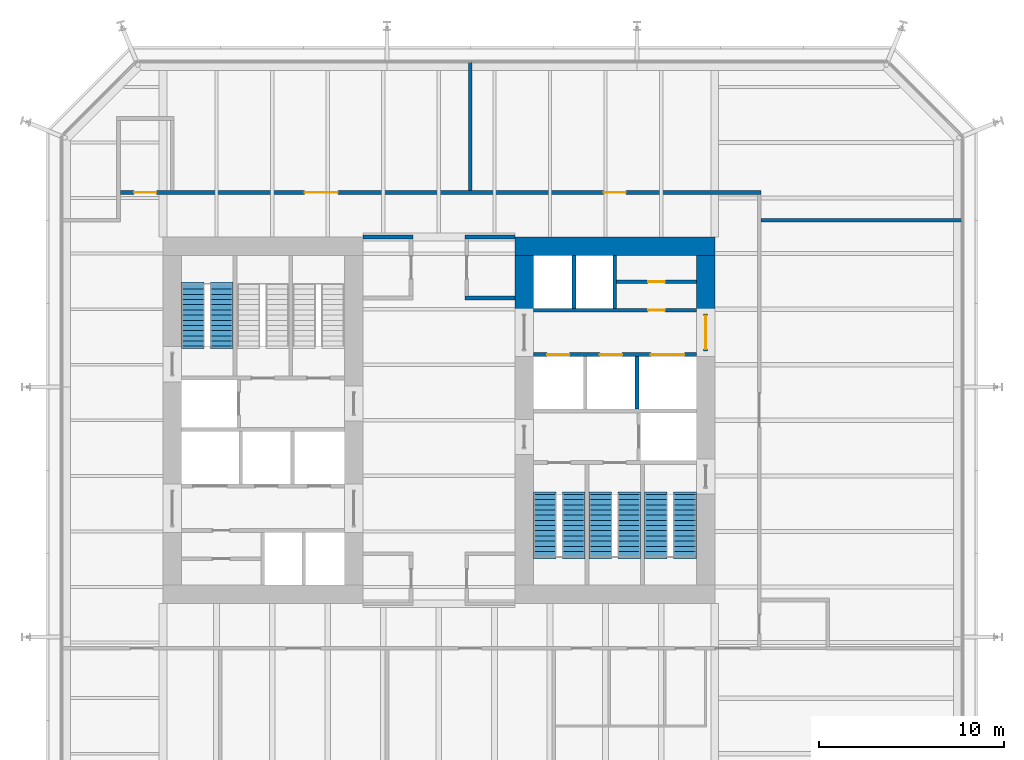
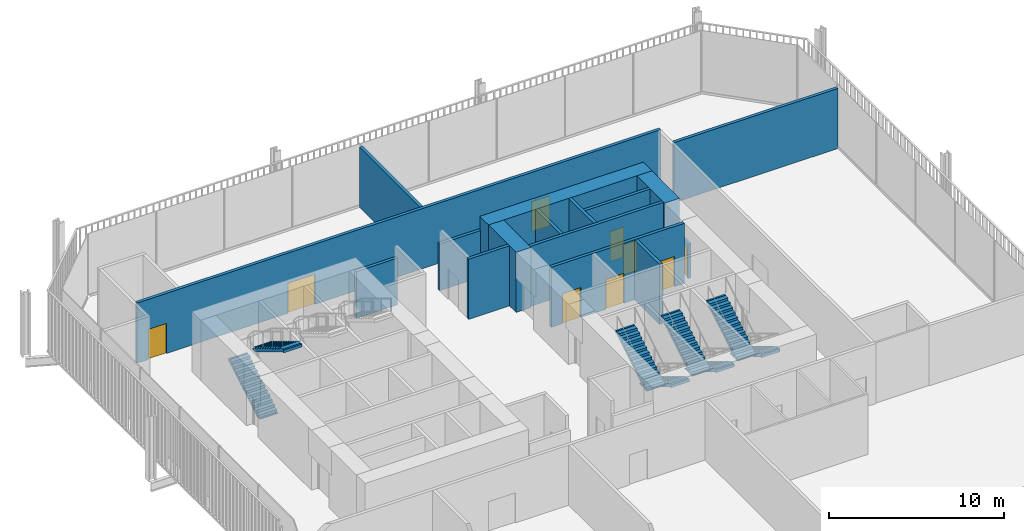
# One storey, part 18 of 20: 16 walls, 9 doors, 8 stair flights, 9 openings, 4 elements without a shape of their own.
"""IFC4 building model written with IfcOpenShell, lengths in metres."""

from ifc_helpers import new_model, si_unit, direction, frame, frame_2d, origin, place, context, subcontext, project, spatial, polyline, rectangle, outline, extrude, material, layer, layer_set, type_object, element, fill, aggregate, save


model = new_model("IFC4")

# Units and contexts
model_context = context("Model", 3, precision=1e-05, world=origin(), true_north=direction((0.0, 1.0)))
body_context = subcontext(model_context, "Body", "Model", "MODEL_VIEW")
ifc_project = project(units=[si_unit("LENGTHUNIT", "METRE"), si_unit("AREAUNIT", "SQUARE_METRE"), si_unit("VOLUMEUNIT", "CUBIC_METRE"), si_unit("PLANEANGLEUNIT", "RADIAN"), si_unit("MASSUNIT", "GRAM", prefix="KILO")], contexts=[model_context])

# Site, building, storey
site_placement = place(None, origin())
site = spatial("IfcSite", under=ifc_project, at=site_placement, CompositionType="ELEMENT")
building_placement = place(site_placement, origin())
building = spatial("IfcBuilding", under=site, at=building_placement, Name="Millrace Tower", CompositionType="ELEMENT")
storey_placement = place(building_placement, frame((0.0, 0.0, 99.60009765625)))
storey = spatial("IfcBuildingStorey", under=building, at=storey_placement, Name="L22", CompositionType="ELEMENT", Elevation=99.60009765625)

# Walls
ifc_material_1 = material(Name="Concrete C80", Category="concrete")
ifc_layer_1 = layer(ifc_material_1, 1.0)
ifc_layer_set_1 = layer_set([ifc_layer_1], Name="Concrete C80")
wall_type_1 = type_object("IfcWallType", Name="Core wall 1000 Concrete C80", PredefinedType="SHEAR", material=ifc_layer_set_1)
wall_1_placement = place(storey_placement, frame((14.89990234375, 9.39990234375, 0.0), z_axis=(0.0, 0.0, 1.0), x_axis=(-1.0, 0.0, 0.0)))
element("IfcWall", 1, at=wall_1_placement, inside=storey, type_object=wall_type_1, Name="Core wall E L22", PredefinedType="SHEAR", context=body_context, shape_type="SweptSolid", body=[
    extrude(rectangle(XDim=10.7998046875, YDim=1.0, at=frame_2d((5.39990234375, 0.0))), origin(), (0.0, 0.0, 1.0), 4.199951171875),
])
for number, where, z_axis, x_axis, name in (
    (2, (14.39990234375, 8.89990234375, 0.0), (0.0, 0.0, 1.0), (0.0, -1.0, 0.0), "Core wall E L22"),
    (3, (4.60009765625, 8.89990234375, 0.0), (0.0, 0.0, 1.0), (0.0, -1.0, 0.0), "Core wall E L22"),
):
    element("IfcWall", number, at=place(storey_placement, frame(where, z_axis=z_axis, x_axis=x_axis)), inside=storey, type_object=wall_type_1, Name=name, PredefinedType="SHEAR", context=body_context, shape_type="SweptSolid", body=[
        extrude(rectangle(XDim=3.14990234375, YDim=1.0, at=frame_2d((1.574951171875, 0.0))), origin(), (0.0, 0.0, 1.0), 4.199951171875),
    ])
ifc_material_2 = material(Name="Masonry partition, fire-rated", Category="masonry")
ifc_layer_2 = layer(ifc_material_2, 0.199951171875)
ifc_layer_set_2 = layer_set([ifc_layer_2], Name="Masonry partition, fire-rated")
wall_type_2 = type_object("IfcWallType", Name="Corridor wall 200", PredefinedType="PARTITIONING", material=ifc_layer_set_2)
wall_2_placement = place(storey_placement, frame((1.39990234375, 6.60009765625, 0.0), z_axis=(0.0, 0.0, 1.0), x_axis=(1.0, 0.0, 0.0)))
element("IfcWall", 4, at=wall_2_placement, inside=storey, type_object=wall_type_2, Name="Corridor wall L22", PredefinedType="PARTITIONING", context=body_context, shape_type="SweptSolid", body=[
    extrude(rectangle(XDim=2.7001953125, YDim=0.199951171875, at=frame_2d((1.35009765625, 0.0))), origin(), (0.0, 0.0, 1.0), 4.199951171875),
])
for number, where, z_axis, x_axis, name in (
    (5, (-4.10009765625, 9.89990234375, 0.0), (0.0, 0.0, 1.0), (1.0, 0.0, 0.0), "Corridor wall L22"),
    (6, (1.39990234375, 9.89990234375, 0.0), (0.0, 0.0, 1.0), (1.0, 0.0, 0.0), "Corridor wall L22"),
):
    element("IfcWall", number, at=place(storey_placement, frame(where, z_axis=z_axis, x_axis=x_axis)), inside=storey, type_object=wall_type_2, Name=name, PredefinedType="PARTITIONING", context=body_context, shape_type="SweptSolid", body=[
        extrude(rectangle(XDim=2.7001953125, YDim=0.199951171875, at=frame_2d((1.35009765625, 0.0))), origin(), (0.0, 0.0, 1.0), 3.2626953125),
    ])
wall_3_placement = place(storey_placement, frame((17.39990234375, 10.800048828125, 0.0), z_axis=(0.0, 0.0, 1.0), x_axis=(1.0, 0.0, 0.0)))
element("IfcWall", 7, at=wall_3_placement, inside=storey, type_object=wall_type_2, Name="Corridor wall L22", PredefinedType="PARTITIONING", context=body_context, shape_type="SweptSolid", body=[
    extrude(rectangle(XDim=10.830078125, YDim=0.199951171875, at=frame_2d((5.4150390625, 0.0))), origin(), (0.0, 0.0, 1.0), 4.199951171875),
])

# Wall, openings, doors
wall_4_placement = place(storey_placement, frame((-17.199951171875, 12.300048828125, 0.0), z_axis=(0.0, 0.0, 1.0), x_axis=(1.0, 0.0, 0.0)))
wall_4 = element("IfcWall", 8, at=wall_4_placement, inside=storey, type_object=wall_type_2, Name="Corridor wall L22", PredefinedType="PARTITIONING", context=body_context, shape_type="SweptSolid", body=[
    extrude(rectangle(XDim=34.599853515625, YDim=0.199951171875, at=frame_2d((17.2998046875, 0.0))), origin(), (0.0, 0.0, 1.0), 4.199951171875),
])
opening_1_placement = place(wall_4_placement, frame((9.949951171875, 0.0, 0.0)))
opening_1 = element("IfcOpeningElement", 9, at=opening_1_placement, cuts=wall_4, Name="Opening 22-P012", PredefinedType="OPENING", context=body_context, shape_type="SweptSolid", body=[
    extrude(rectangle(XDim=1.800048828125, YDim=2.10009765625, at=frame_2d((0.89990234375, 1.050048828125))), frame((0.0, 0.10986328125, 0.0), z_axis=(0.0, -1.0, 0.0), x_axis=(1.0, 0.0, 0.0)), (0.0, 0.0, 1.0), 0.219970703125),
])
opening_2_placement = place(wall_4_placement, frame((0.75, 0.0, 0.0)))
opening_2 = element("IfcOpeningElement", 10, at=opening_2_placement, cuts=wall_4, Name="Opening 22-P013", PredefinedType="OPENING", context=body_context, shape_type="SweptSolid", body=[
    extrude(rectangle(XDim=1.199951171875, YDim=2.10009765625, at=frame_2d((0.60009765625, 1.050048828125))), frame((0.0, 0.10986328125, 0.0), z_axis=(0.0, -1.0, 0.0), x_axis=(1.0, 0.0, 0.0)), (0.0, 0.0, 1.0), 0.219970703125),
])
opening_3_placement = place(wall_4_placement, frame((26.10009765625, 0.0, 0.0)))
opening_3 = element("IfcOpeningElement", 11, at=opening_3_placement, cuts=wall_4, Name="Opening 22-P014", PredefinedType="OPENING", context=body_context, shape_type="SweptSolid", body=[
    extrude(rectangle(XDim=1.199951171875, YDim=2.10009765625, at=frame_2d((0.60009765625, 1.050048828125))), frame((0.0, 0.10986328125, 0.0), z_axis=(0.0, -1.0, 0.0), x_axis=(1.0, 0.0, 0.0)), (0.0, 0.0, 1.0), 0.219970703125),
])
ifc_material_3 = material(Name="Steel door set, fire-rated", Category="steel")
door_type_1 = type_object("IfcDoorType", Name="Corridor door 1200 x 2100", OperationType="SINGLE_SWING_LEFT", PredefinedType="DOOR", material=ifc_material_3)
door_1_placement = place(opening_2_placement, origin())
door_1 = element("IfcDoor", 12, at=door_1_placement, inside=storey, type_object=door_type_1, Name="Door 22-P013", OperationType="SINGLE_SWING_LEFT", OverallHeight=2.10009765625, OverallWidth=1.199951171875, PredefinedType="DOOR", context=body_context, shape_type="SweptSolid", body=[
    extrude(rectangle(XDim=1.199951171875, YDim=2.10009765625, at=frame_2d((0.60009765625, 1.050048828125))), frame((0.0, 0.02490234375, 0.0), z_axis=(0.0, -1.0, 0.0), x_axis=(1.0, 0.0, 0.0)), (0.0, 0.0, 1.0), 0.050048828125),
])
fill(opening_2, door_1)
door_2_placement = place(opening_3_placement, frame((1.199951171875, 0.0, 0.0), z_axis=(0.0, 0.0, 1.0), x_axis=(-1.0, 0.0, 0.0)))
door_2 = element("IfcDoor", 13, at=door_2_placement, inside=storey, type_object=door_type_1, Name="Door 22-P014", OperationType="SINGLE_SWING_LEFT", OverallHeight=2.10009765625, OverallWidth=1.199951171875, PredefinedType="DOOR", context=body_context, shape_type="SweptSolid", body=[
    extrude(rectangle(XDim=1.199951171875, YDim=2.10009765625, at=frame_2d((0.60009765625, 1.050048828125))), frame((0.0, 0.02490234375, 0.0), z_axis=(0.0, -1.0, 0.0), x_axis=(1.0, 0.0, 0.0)), (0.0, 0.0, 1.0), 0.050048828125),
])
fill(opening_3, door_2)
ifc_material_4 = material(Name="Steel door set, fire-rated", Category="steel")
door_type_2 = type_object("IfcDoorType", Name="Data hall door 1800 x 2100", OperationType="DOUBLE_DOOR_SINGLE_SWING", PredefinedType="DOOR", material=ifc_material_4)
door_3_placement = place(opening_1_placement, origin())
door_3 = element("IfcDoor", 14, at=door_3_placement, inside=storey, type_object=door_type_2, Name="Door 22-P012", OperationType="DOUBLE_DOOR_SINGLE_SWING", OverallHeight=2.10009765625, OverallWidth=1.800048828125, PredefinedType="DOOR", context=body_context, shape_type="SweptSolid", body=[
    extrude(rectangle(XDim=1.800048828125, YDim=2.10009765625, at=frame_2d((0.89990234375, 1.050048828125))), frame((0.0, 0.02490234375, 0.0), z_axis=(0.0, -1.0, 0.0), x_axis=(1.0, 0.0, 0.0)), (0.0, 0.0, 1.0), 0.050048828125),
])
fill(opening_1, door_3)

# Wall
wall_5_placement = place(storey_placement, frame((1.699951171875, 12.39990234375, 0.0), z_axis=(0.0, 0.0, 1.0), x_axis=(0.0, 1.0, 0.0)))
element("IfcWall", 15, at=wall_5_placement, inside=storey, type_object=wall_type_2, Name="Corridor wall L22", PredefinedType="PARTITIONING", context=body_context, shape_type="SweptSolid", body=[
    extrude(rectangle(XDim=6.93017578125, YDim=0.199951171875, at=frame_2d((3.465087890625, 0.0))), origin(), (0.0, 0.0, 1.0), 4.199951171875),
])

# Wall, opening, door
ifc_material_5 = material(Name="Masonry partition, fire-rated", Category="masonry")
ifc_layer_3 = layer(ifc_material_5, 0.199951171875)
ifc_layer_set_3 = layer_set([ifc_layer_3], Name="Masonry partition, fire-rated")
wall_type_3 = type_object("IfcWallType", Name="Lift shaft wall 200", PredefinedType="PARTITIONING", material=ifc_layer_set_3)
wall_6_placement = place(storey_placement, frame((13.89990234375, 5.949951171875, 0.0), z_axis=(0.0, 0.0, 1.0), x_axis=(-1.0, 0.0, 0.0)))
wall_6 = element("IfcWall", 16, at=wall_6_placement, inside=storey, type_object=wall_type_3, Name="Lift shaft wall E L22", PredefinedType="PARTITIONING", context=body_context, shape_type="SweptSolid", body=[
    extrude(rectangle(XDim=8.7998046875, YDim=0.199951171875, at=frame_2d((4.39990234375, 0.0))), origin(), (0.0, 0.0, 1.0), 4.199951171875),
])
opening_4_placement = place(wall_6_placement, frame((1.699951171875, 0.0, 0.0)))
opening_4 = element("IfcOpeningElement", 17, at=opening_4_placement, cuts=wall_6, Name="Opening 22-C013", PredefinedType="OPENING", context=body_context, shape_type="SweptSolid", body=[
    extrude(rectangle(XDim=0.89990234375, YDim=2.10009765625, at=frame_2d((0.449951171875, 1.050048828125))), frame((0.0, 0.10986328125, 0.0), z_axis=(0.0, -1.0, 0.0), x_axis=(1.0, 0.0, 0.0)), (0.0, 0.0, 1.0), 0.219970703125),
])
ifc_material_6 = material(Name="Steel door, fire-rated", Category="steel")
door_type_3 = type_object("IfcDoorType", Name="Service room door 900 x 2100", OperationType="SINGLE_SWING_LEFT", PredefinedType="DOOR", material=ifc_material_6)
door_4_placement = place(opening_4_placement, origin())
door_4 = element("IfcDoor", 18, at=door_4_placement, inside=storey, type_object=door_type_3, Name="Service room door 22-C013", OperationType="SINGLE_SWING_LEFT", OverallHeight=2.10009765625, OverallWidth=0.89990234375, PredefinedType="DOOR", context=body_context, shape_type="SweptSolid", body=[
    extrude(rectangle(XDim=0.89990234375, YDim=2.10009765625, at=frame_2d((0.449951171875, 1.050048828125))), frame((0.0, 0.02490234375, 0.0), z_axis=(0.0, -1.0, 0.0), x_axis=(1.0, 0.0, 0.0)), (0.0, 0.0, 1.0), 0.050048828125),
])
fill(opening_4, door_4)

# Wall, openings, doors
wall_7_placement = place(storey_placement, frame((13.89990234375, 3.550048828125, 0.0), z_axis=(0.0, 0.0, 1.0), x_axis=(-1.0, 0.0, 0.0)))
wall_7 = element("IfcWall", 19, at=wall_7_placement, inside=storey, type_object=wall_type_3, Name="Lift shaft wall E L22", PredefinedType="PARTITIONING", context=body_context, shape_type="SweptSolid", body=[
    extrude(rectangle(XDim=8.7998046875, YDim=0.199951171875, at=frame_2d((4.39990234375, 0.0))), origin(), (0.0, 0.0, 1.0), 4.199951171875),
])
opening_5_placement = place(wall_7_placement, frame((0.64990234375, 0.0, 0.0)))
opening_5 = element("IfcOpeningElement", 20, at=opening_5_placement, cuts=wall_7, Name="Opening 22-LD13", PredefinedType="OPENING", context=body_context, shape_type="SweptSolid", body=[
    extrude(rectangle(XDim=1.800048828125, YDim=2.10009765625, at=frame_2d((0.89990234375, 1.050048828125))), frame((0.0, 0.10986328125, 0.0), z_axis=(0.0, -1.0, 0.0), x_axis=(1.0, 0.0, 0.0)), (0.0, 0.0, 1.0), 0.219970703125),
])
opening_6_placement = place(wall_7_placement, frame((4.0, 0.0, 0.0)))
opening_6 = element("IfcOpeningElement", 21, at=opening_6_placement, cuts=wall_7, Name="Opening 22-LD14", PredefinedType="OPENING", context=body_context, shape_type="SweptSolid", body=[
    extrude(rectangle(XDim=1.199951171875, YDim=2.10009765625, at=frame_2d((0.60009765625, 1.050048828125))), frame((0.0, 0.10986328125, 0.0), z_axis=(0.0, -1.0, 0.0), x_axis=(1.0, 0.0, 0.0)), (0.0, 0.0, 1.0), 0.219970703125),
])
opening_7_placement = place(wall_7_placement, frame((6.85009765625, 0.0, 0.0)))
opening_7 = element("IfcOpeningElement", 22, at=opening_7_placement, cuts=wall_7, Name="Opening 22-LD15", PredefinedType="OPENING", context=body_context, shape_type="SweptSolid", body=[
    extrude(rectangle(XDim=1.199951171875, YDim=2.10009765625, at=frame_2d((0.60009765625, 1.050048828125))), frame((0.0, 0.10986328125, 0.0), z_axis=(0.0, -1.0, 0.0), x_axis=(1.0, 0.0, 0.0)), (0.0, 0.0, 1.0), 0.219970703125),
])
ifc_material_7 = material(Name="Stainless steel, fire-rated", Category="steel")
door_type_4 = type_object("IfcDoorType", Name="Lift landing door 1200 x 2100", OperationType="DOUBLE_DOOR_SLIDING", PredefinedType="DOOR", material=ifc_material_7)
door_5_placement = place(opening_6_placement, origin())
door_5 = element("IfcDoor", 23, at=door_5_placement, inside=storey, type_object=door_type_4, Name="Lift landing door LF14 L22", OperationType="DOUBLE_DOOR_SLIDING", OverallHeight=2.10009765625, OverallWidth=1.199951171875, PredefinedType="DOOR", context=body_context, shape_type="SweptSolid", body=[
    extrude(rectangle(XDim=1.199951171875, YDim=2.10009765625, at=frame_2d((0.60009765625, 1.050048828125))), frame((0.0, 0.02490234375, 0.0), z_axis=(0.0, -1.0, 0.0), x_axis=(1.0, 0.0, 0.0)), (0.0, 0.0, 1.0), 0.050048828125),
])
fill(opening_6, door_5)
door_6_placement = place(opening_7_placement, origin())
door_6 = element("IfcDoor", 24, at=door_6_placement, inside=storey, type_object=door_type_4, Name="Lift landing door LF15 L22", OperationType="DOUBLE_DOOR_SLIDING", OverallHeight=2.10009765625, OverallWidth=1.199951171875, PredefinedType="DOOR", context=body_context, shape_type="SweptSolid", body=[
    extrude(rectangle(XDim=1.199951171875, YDim=2.10009765625, at=frame_2d((0.60009765625, 1.050048828125))), frame((0.0, 0.02490234375, 0.0), z_axis=(0.0, -1.0, 0.0), x_axis=(1.0, 0.0, 0.0)), (0.0, 0.0, 1.0), 0.050048828125),
])
fill(opening_7, door_6)
ifc_material_8 = material(Name="Stainless steel, fire-rated", Category="steel")
door_type_5 = type_object("IfcDoorType", Name="Lift landing door 1800 x 2100", OperationType="DOUBLE_DOOR_SLIDING", PredefinedType="DOOR", material=ifc_material_8)
door_7_placement = place(opening_5_placement, origin())
door_7 = element("IfcDoor", 25, at=door_7_placement, inside=storey, type_object=door_type_5, Name="Lift landing door LF13 L22", OperationType="DOUBLE_DOOR_SLIDING", OverallHeight=2.10009765625, OverallWidth=1.800048828125, PredefinedType="DOOR", context=body_context, shape_type="SweptSolid", body=[
    extrude(rectangle(XDim=1.800048828125, YDim=2.10009765625, at=frame_2d((0.89990234375, 1.050048828125))), frame((0.0, 0.02490234375, 0.0), z_axis=(0.0, -1.0, 0.0), x_axis=(1.0, 0.0, 0.0)), (0.0, 0.0, 1.0), 0.050048828125),
])
fill(opening_5, door_7)

# Walls
for number, where, z_axis, x_axis, name in (
    (26, (9.5, 8.89990234375, 0.0), (0.0, 0.0, 1.0), (0.0, -1.0, 0.0), "Lift shaft wall E L22"),
    (27, (7.300048828125, 8.89990234375, 0.0), (0.0, 0.0, 1.0), (0.0, -1.0, 0.0), "Lift shaft wall E L22"),
    (28, (10.699951171875, 3.449951171875, 0.0), (0.0, 0.0, 1.0), (0.0, -1.0, 0.0), "Lift shaft wall E L22"),
):
    element("IfcWall", number, at=place(storey_placement, frame(where, z_axis=z_axis, x_axis=x_axis)), inside=storey, type_object=wall_type_3, Name=name, PredefinedType="PARTITIONING", context=body_context, shape_type="SweptSolid", body=[
        extrude(rectangle(XDim=2.849853515625, YDim=0.199951171875, at=frame_2d((1.4248046875, 0.0))), origin(), (0.0, 0.0, 1.0), 4.199951171875),
    ])

# Wall, opening, door
ifc_material_9 = material(Name="Masonry partition, fire-rated", Category="masonry")
ifc_layer_4 = layer(ifc_material_9, 0.199951171875)
ifc_layer_set_4 = layer_set([ifc_layer_4], Name="Masonry partition, fire-rated")
wall_type_4 = type_object("IfcWallType", Name="Lobby wall 200", PredefinedType="PARTITIONING", material=ifc_layer_set_4)
wall_8_placement = place(storey_placement, frame((14.39990234375, 5.75, 0.0), z_axis=(0.0, 0.0, 1.0), x_axis=(0.0, -1.0, 0.0)))
wall_8 = element("IfcWall", 29, at=wall_8_placement, inside=storey, type_object=wall_type_4, Name="Lobby wall E L22", PredefinedType="PARTITIONING", context=body_context, shape_type="SweptSolid", body=[
    extrude(rectangle(XDim=2.0, YDim=0.199951171875, at=frame_2d((1.0, 0.0))), origin(), (0.0, 0.0, 1.0), 2.39990234375),
])
opening_8_placement = place(wall_8_placement, frame((0.10009765625, 0.0, 0.0)))
opening_8 = element("IfcOpeningElement", 30, at=opening_8_placement, cuts=wall_8, Name="Opening 22-C009", PredefinedType="OPENING", context=body_context, shape_type="SweptSolid", body=[
    extrude(rectangle(XDim=1.800048828125, YDim=2.10009765625, at=frame_2d((0.89990234375, 1.050048828125))), frame((0.0, 0.10986328125, 0.0), z_axis=(0.0, -1.0, 0.0), x_axis=(1.0, 0.0, 0.0)), (0.0, 0.0, 1.0), 0.219970703125),
])
ifc_material_10 = material(Name="Steel door, fire-rated", Category="steel")
door_type_6 = type_object("IfcDoorType", Name="Lobby door 1800 x 2100", OperationType="DOUBLE_DOOR_SINGLE_SWING", PredefinedType="DOOR", material=ifc_material_10)
door_8_placement = place(opening_8_placement, origin())
door_8 = element("IfcDoor", 31, at=door_8_placement, inside=storey, type_object=door_type_6, Name="Lobby door 22-C009", OperationType="DOUBLE_DOOR_SINGLE_SWING", OverallHeight=2.10009765625, OverallWidth=1.800048828125, PredefinedType="DOOR", context=body_context, shape_type="SweptSolid", body=[
    extrude(rectangle(XDim=1.800048828125, YDim=2.10009765625, at=frame_2d((0.89990234375, 1.050048828125))), frame((0.0, 0.02490234375, 0.0), z_axis=(0.0, -1.0, 0.0), x_axis=(1.0, 0.0, 0.0)), (0.0, 0.0, 1.0), 0.050048828125),
])
fill(opening_8, door_8)

ifc_material_11 = material(Name="Masonry partition, fire-rated", Category="masonry")
ifc_layer_5 = layer(ifc_material_11, 0.199951171875)
ifc_layer_set_5 = layer_set([ifc_layer_5], Name="Masonry partition, fire-rated")
wall_type_5 = type_object("IfcWallType", Name="Room partition 200", PredefinedType="PARTITIONING", material=ifc_layer_set_5)
wall_9_placement = place(storey_placement, frame((13.89990234375, 7.47509765625, 0.0), z_axis=(0.0, 0.0, 1.0), x_axis=(-1.0, 0.0, 0.0)))
wall_9 = element("IfcWall", 32, at=wall_9_placement, inside=storey, type_object=wall_type_5, Name="Room partition E L22", PredefinedType="PARTITIONING", context=body_context, shape_type="SweptSolid", body=[
    extrude(rectangle(XDim=4.2998046875, YDim=0.199951171875, at=frame_2d((2.14990234375, 0.0))), origin(), (0.0, 0.0, 1.0), 4.199951171875),
])
opening_9_placement = place(wall_9_placement, frame((1.699951171875, 0.0, 0.0)))
opening_9 = element("IfcOpeningElement", 33, at=opening_9_placement, cuts=wall_9, Name="Opening 22-C014", PredefinedType="OPENING", context=body_context, shape_type="SweptSolid", body=[
    extrude(rectangle(XDim=0.89990234375, YDim=2.10009765625, at=frame_2d((0.449951171875, 1.050048828125))), frame((0.0, 0.10986328125, 0.0), z_axis=(0.0, -1.0, 0.0), x_axis=(1.0, 0.0, 0.0)), (0.0, 0.0, 1.0), 0.219970703125),
])
door_9_placement = place(opening_9_placement, frame((0.89990234375, 0.0, 0.0), z_axis=(0.0, 0.0, 1.0), x_axis=(-1.0, 0.0, 0.0)))
door_9 = element("IfcDoor", 34, at=door_9_placement, inside=storey, type_object=door_type_3, Name="Service room door 22-C014", OperationType="SINGLE_SWING_RIGHT", OverallHeight=2.10009765625, OverallWidth=0.89990234375, PredefinedType="DOOR", context=body_context, shape_type="SweptSolid", body=[
    extrude(rectangle(XDim=0.89990234375, YDim=2.10009765625, at=frame_2d((0.449951171875, 1.050048828125))), frame((0.0, 0.02490234375, 0.0), z_axis=(0.0, -1.0, 0.0), x_axis=(1.0, 0.0, 0.0)), (0.0, 0.0, 1.0), 0.050048828125),
])
fill(opening_9, door_9)

# Stair, stair flights
ifc_material_12 = material(Name="Concrete C35", Category="concrete")
stair_type = type_object("IfcStairType", Name="Exit stair", PredefinedType="HALF_TURN_STAIR", material=ifc_material_12)
placement = place(storey_placement, origin())
stair_1 = element("IfcStair", 35, at=placement, inside=storey, type_object=stair_type, Name="Stair 1 W L22", PredefinedType="HALF_TURN_STAIR")
ifc_material_13 = material(Name="Concrete C35", Category="concrete")
stair_flight_type = type_object("IfcStairFlightType", Name="Exit stair flight", PredefinedType="STRAIGHT", material=ifc_material_13)
stair_flight_1_placement = place(storey_placement, frame((-13.2900390625, 4.0, 0.0), z_axis=(0.0, 0.0, 1.0), x_axis=(0.0, 1.0, 0.0)))
stair_flight_1 = element("IfcStairFlight", 36, at=stair_flight_1_placement, type_object=stair_flight_type, Name="ST12 flight 1", NumberOfRisers=13, NumberOfTreads=12, PredefinedType="STRAIGHT", RiserHeight=0.169230769, TreadLength=0.28, context=body_context, shape_type="SweptSolid", body=[
    extrude(outline(polyline([(-0.1201171875, -0.0400390625), (-0.1201171875, 0.0), (0.0, 0.0), (0.0, 0.169189453125), (0.280029296875, 0.169189453125), (0.280029296875, 0.33837890625), (0.56005859375, 0.33837890625), (0.56005859375, 0.5078125), (0.840087890625, 0.5078125), (0.840087890625, 0.677001953125), (1.1201171875, 0.677001953125), (1.1201171875, 0.84619140625), (1.39990234375, 0.84619140625), (1.39990234375, 1.015380859375), (1.679931640625, 1.015380859375), (1.679931640625, 1.1845703125), (1.9599609375, 1.1845703125), (1.9599609375, 1.353759765625), (2.239990234375, 1.353759765625), (2.239990234375, 1.523193359375), (2.52001953125, 1.523193359375), (2.52001953125, 1.6923828125), (2.800048828125, 1.6923828125), (2.800048828125, 1.861572265625), (3.080078125, 1.861572265625), (3.080078125, 2.03076171875), (3.360107421875, 2.03076171875), (3.360107421875, 2.05078125), (3.47998046875, 2.05078125), (3.47998046875, 1.855712890625), (3.360107421875, 1.855712890625), (0.289794921875, 0.0), (0.289794921875, -0.0400390625), (-0.1201171875, -0.0400390625)])), frame((0.0, 0.60986328125, 0.0), z_axis=(0.0, -1.0, 0.0), x_axis=(1.0, 0.0, 0.0)), (0.0, 0.0, 1.0), 1.219970703125),
])
stair_flight_2_placement = place(storey_placement, frame((-11.7099609375, 7.360107421875, 2.199951171875), z_axis=(0.0, 0.0, 1.0), x_axis=(0.0, -1.0, 0.0)))
stair_flight_2 = element("IfcStairFlight", 37, at=stair_flight_2_placement, type_object=stair_flight_type, Name="ST12 flight 2", NumberOfRisers=13, NumberOfTreads=12, PredefinedType="STRAIGHT", RiserHeight=0.169230769, TreadLength=0.28, context=body_context, shape_type="SweptSolid", body=[
    extrude(outline(polyline([(-0.1201171875, -0.0400390625), (-0.1201171875, 0.0), (0.0, 0.0), (0.0, 0.169189453125), (0.280029296875, 0.169189453125), (0.280029296875, 0.33837890625), (0.56005859375, 0.33837890625), (0.56005859375, 0.5078125), (0.840087890625, 0.5078125), (0.840087890625, 0.677001953125), (1.1201171875, 0.677001953125), (1.1201171875, 0.84619140625), (1.39990234375, 0.84619140625), (1.39990234375, 1.015380859375), (1.679931640625, 1.015380859375), (1.679931640625, 1.1845703125), (1.9599609375, 1.1845703125), (1.9599609375, 1.353759765625), (2.239990234375, 1.353759765625), (2.239990234375, 1.523193359375), (2.52001953125, 1.523193359375), (2.52001953125, 1.6923828125), (2.800048828125, 1.6923828125), (2.800048828125, 1.861572265625), (3.080078125, 1.861572265625), (3.080078125, 2.03076171875), (3.360107421875, 2.03076171875), (3.360107421875, 2.05078125), (3.47998046875, 2.05078125), (3.47998046875, 1.855712890625), (3.360107421875, 1.855712890625), (0.289794921875, 0.0), (0.289794921875, -0.0400390625), (-0.1201171875, -0.0400390625)])), frame((0.0, 0.60986328125, 0.0), z_axis=(0.0, -1.0, 0.0), x_axis=(1.0, 0.0, 0.0)), (0.0, 0.0, 1.0), 1.219970703125),
])
aggregate(stair_1, [stair_flight_1, stair_flight_2])

stair_2 = element("IfcStair", 38, at=placement, inside=storey, type_object=stair_type, Name="Stair 1 E L22", PredefinedType="HALF_TURN_STAIR")
stair_flight_3_placement = place(storey_placement, frame((13.2900390625, -4.0, 0.0), z_axis=(0.0, 0.0, 1.0), x_axis=(0.0, -1.0, 0.0)))
stair_flight_3 = element("IfcStairFlight", 39, at=stair_flight_3_placement, type_object=stair_flight_type, Name="ST12 flight 1", NumberOfRisers=13, NumberOfTreads=12, PredefinedType="STRAIGHT", RiserHeight=0.169230769, TreadLength=0.28, context=body_context, shape_type="SweptSolid", body=[
    extrude(outline(polyline([(-0.1201171875, -0.0400390625), (-0.1201171875, 0.0), (0.0, 0.0), (0.0, 0.169189453125), (0.280029296875, 0.169189453125), (0.280029296875, 0.33837890625), (0.56005859375, 0.33837890625), (0.56005859375, 0.5078125), (0.840087890625, 0.5078125), (0.840087890625, 0.677001953125), (1.1201171875, 0.677001953125), (1.1201171875, 0.84619140625), (1.39990234375, 0.84619140625), (1.39990234375, 1.015380859375), (1.679931640625, 1.015380859375), (1.679931640625, 1.1845703125), (1.9599609375, 1.1845703125), (1.9599609375, 1.353759765625), (2.239990234375, 1.353759765625), (2.239990234375, 1.523193359375), (2.52001953125, 1.523193359375), (2.52001953125, 1.6923828125), (2.800048828125, 1.6923828125), (2.800048828125, 1.861572265625), (3.080078125, 1.861572265625), (3.080078125, 2.03076171875), (3.360107421875, 2.03076171875), (3.360107421875, 2.05078125), (3.47998046875, 2.05078125), (3.47998046875, 1.855712890625), (3.360107421875, 1.855712890625), (0.289794921875, 0.0), (0.289794921875, -0.0400390625), (-0.1201171875, -0.0400390625)])), frame((0.0, 0.60986328125, 0.0), z_axis=(0.0, -1.0, 0.0), x_axis=(1.0, 0.0, 0.0)), (0.0, 0.0, 1.0), 1.219970703125),
])
stair_flight_4_placement = place(storey_placement, frame((11.7099609375, -7.360107421875, 2.199951171875), z_axis=(0.0, 0.0, 1.0), x_axis=(0.0, 1.0, 0.0)))
stair_flight_4 = element("IfcStairFlight", 40, at=stair_flight_4_placement, type_object=stair_flight_type, Name="ST12 flight 2", NumberOfRisers=13, NumberOfTreads=12, PredefinedType="STRAIGHT", RiserHeight=0.169230769, TreadLength=0.28, context=body_context, shape_type="SweptSolid", body=[
    extrude(outline(polyline([(-0.1201171875, -0.0400390625), (-0.1201171875, 0.0), (0.0, 0.0), (0.0, 0.169189453125), (0.280029296875, 0.169189453125), (0.280029296875, 0.33837890625), (0.56005859375, 0.33837890625), (0.56005859375, 0.5078125), (0.840087890625, 0.5078125), (0.840087890625, 0.677001953125), (1.1201171875, 0.677001953125), (1.1201171875, 0.84619140625), (1.39990234375, 0.84619140625), (1.39990234375, 1.015380859375), (1.679931640625, 1.015380859375), (1.679931640625, 1.1845703125), (1.9599609375, 1.1845703125), (1.9599609375, 1.353759765625), (2.239990234375, 1.353759765625), (2.239990234375, 1.523193359375), (2.52001953125, 1.523193359375), (2.52001953125, 1.6923828125), (2.800048828125, 1.6923828125), (2.800048828125, 1.861572265625), (3.080078125, 1.861572265625), (3.080078125, 2.03076171875), (3.360107421875, 2.03076171875), (3.360107421875, 2.05078125), (3.47998046875, 2.05078125), (3.47998046875, 1.855712890625), (3.360107421875, 1.855712890625), (0.289794921875, 0.0), (0.289794921875, -0.0400390625), (-0.1201171875, -0.0400390625)])), frame((0.0, 0.60986328125, 0.0), z_axis=(0.0, -1.0, 0.0), x_axis=(1.0, 0.0, 0.0)), (0.0, 0.0, 1.0), 1.219970703125),
])
aggregate(stair_2, [stair_flight_3, stair_flight_4])

stair_3 = element("IfcStair", 41, at=placement, inside=storey, type_object=stair_type, Name="Stair 2 E L22", PredefinedType="HALF_TURN_STAIR")
stair_flight_5_placement = place(storey_placement, frame((10.2900390625, -4.0, 0.0), z_axis=(0.0, 0.0, 1.0), x_axis=(0.0, -1.0, 0.0)))
stair_flight_5 = element("IfcStairFlight", 42, at=stair_flight_5_placement, type_object=stair_flight_type, Name="ST12 flight 1", NumberOfRisers=13, NumberOfTreads=12, PredefinedType="STRAIGHT", RiserHeight=0.169230769, TreadLength=0.28, context=body_context, shape_type="SweptSolid", body=[
    extrude(outline(polyline([(-0.1201171875, -0.0400390625), (-0.1201171875, 0.0), (0.0, 0.0), (0.0, 0.169189453125), (0.280029296875, 0.169189453125), (0.280029296875, 0.33837890625), (0.56005859375, 0.33837890625), (0.56005859375, 0.5078125), (0.840087890625, 0.5078125), (0.840087890625, 0.677001953125), (1.1201171875, 0.677001953125), (1.1201171875, 0.84619140625), (1.39990234375, 0.84619140625), (1.39990234375, 1.015380859375), (1.679931640625, 1.015380859375), (1.679931640625, 1.1845703125), (1.9599609375, 1.1845703125), (1.9599609375, 1.353759765625), (2.239990234375, 1.353759765625), (2.239990234375, 1.523193359375), (2.52001953125, 1.523193359375), (2.52001953125, 1.6923828125), (2.800048828125, 1.6923828125), (2.800048828125, 1.861572265625), (3.080078125, 1.861572265625), (3.080078125, 2.03076171875), (3.360107421875, 2.03076171875), (3.360107421875, 2.05078125), (3.47998046875, 2.05078125), (3.47998046875, 1.855712890625), (3.360107421875, 1.855712890625), (0.289794921875, 0.0), (0.289794921875, -0.0400390625), (-0.1201171875, -0.0400390625)])), frame((0.0, 0.60986328125, 0.0), z_axis=(0.0, -1.0, 0.0), x_axis=(1.0, 0.0, 0.0)), (0.0, 0.0, 1.0), 1.219970703125),
])
stair_flight_6_placement = place(storey_placement, frame((8.7099609375, -7.360107421875, 2.199951171875), z_axis=(0.0, 0.0, 1.0), x_axis=(0.0, 1.0, 0.0)))
stair_flight_6 = element("IfcStairFlight", 43, at=stair_flight_6_placement, type_object=stair_flight_type, Name="ST12 flight 2", NumberOfRisers=13, NumberOfTreads=12, PredefinedType="STRAIGHT", RiserHeight=0.169230769, TreadLength=0.28, context=body_context, shape_type="SweptSolid", body=[
    extrude(outline(polyline([(-0.1201171875, -0.0400390625), (-0.1201171875, 0.0), (0.0, 0.0), (0.0, 0.169189453125), (0.280029296875, 0.169189453125), (0.280029296875, 0.33837890625), (0.56005859375, 0.33837890625), (0.56005859375, 0.5078125), (0.840087890625, 0.5078125), (0.840087890625, 0.677001953125), (1.1201171875, 0.677001953125), (1.1201171875, 0.84619140625), (1.39990234375, 0.84619140625), (1.39990234375, 1.015380859375), (1.679931640625, 1.015380859375), (1.679931640625, 1.1845703125), (1.9599609375, 1.1845703125), (1.9599609375, 1.353759765625), (2.239990234375, 1.353759765625), (2.239990234375, 1.523193359375), (2.52001953125, 1.523193359375), (2.52001953125, 1.6923828125), (2.800048828125, 1.6923828125), (2.800048828125, 1.861572265625), (3.080078125, 1.861572265625), (3.080078125, 2.03076171875), (3.360107421875, 2.03076171875), (3.360107421875, 2.05078125), (3.47998046875, 2.05078125), (3.47998046875, 1.855712890625), (3.360107421875, 1.855712890625), (0.289794921875, 0.0), (0.289794921875, -0.0400390625), (-0.1201171875, -0.0400390625)])), frame((0.0, 0.60986328125, 0.0), z_axis=(0.0, -1.0, 0.0), x_axis=(1.0, 0.0, 0.0)), (0.0, 0.0, 1.0), 1.219970703125),
])
aggregate(stair_3, [stair_flight_5, stair_flight_6])

stair_4 = element("IfcStair", 44, at=placement, inside=storey, type_object=stair_type, Name="Stair 3 E L22", PredefinedType="HALF_TURN_STAIR")
stair_flight_7_placement = place(storey_placement, frame((7.2900390625, -4.0, 0.0), z_axis=(0.0, 0.0, 1.0), x_axis=(0.0, -1.0, 0.0)))
stair_flight_7 = element("IfcStairFlight", 45, at=stair_flight_7_placement, type_object=stair_flight_type, Name="ST12 flight 1", NumberOfRisers=13, NumberOfTreads=12, PredefinedType="STRAIGHT", RiserHeight=0.169230769, TreadLength=0.28, context=body_context, shape_type="SweptSolid", body=[
    extrude(outline(polyline([(-0.1201171875, -0.0400390625), (-0.1201171875, 0.0), (0.0, 0.0), (0.0, 0.169189453125), (0.280029296875, 0.169189453125), (0.280029296875, 0.33837890625), (0.56005859375, 0.33837890625), (0.56005859375, 0.5078125), (0.840087890625, 0.5078125), (0.840087890625, 0.677001953125), (1.1201171875, 0.677001953125), (1.1201171875, 0.84619140625), (1.39990234375, 0.84619140625), (1.39990234375, 1.015380859375), (1.679931640625, 1.015380859375), (1.679931640625, 1.1845703125), (1.9599609375, 1.1845703125), (1.9599609375, 1.353759765625), (2.239990234375, 1.353759765625), (2.239990234375, 1.523193359375), (2.52001953125, 1.523193359375), (2.52001953125, 1.6923828125), (2.800048828125, 1.6923828125), (2.800048828125, 1.861572265625), (3.080078125, 1.861572265625), (3.080078125, 2.03076171875), (3.360107421875, 2.03076171875), (3.360107421875, 2.05078125), (3.47998046875, 2.05078125), (3.47998046875, 1.855712890625), (3.360107421875, 1.855712890625), (0.289794921875, 0.0), (0.289794921875, -0.0400390625), (-0.1201171875, -0.0400390625)])), frame((0.0, 0.60986328125, 0.0), z_axis=(0.0, -1.0, 0.0), x_axis=(1.0, 0.0, 0.0)), (0.0, 0.0, 1.0), 1.219970703125),
])
stair_flight_8_placement = place(storey_placement, frame((5.7099609375, -7.360107421875, 2.199951171875), z_axis=(0.0, 0.0, 1.0), x_axis=(0.0, 1.0, 0.0)))
stair_flight_8 = element("IfcStairFlight", 46, at=stair_flight_8_placement, type_object=stair_flight_type, Name="ST12 flight 2", NumberOfRisers=13, NumberOfTreads=12, PredefinedType="STRAIGHT", RiserHeight=0.169230769, TreadLength=0.28, context=body_context, shape_type="SweptSolid", body=[
    extrude(outline(polyline([(-0.1201171875, -0.0400390625), (-0.1201171875, 0.0), (0.0, 0.0), (0.0, 0.169189453125), (0.280029296875, 0.169189453125), (0.280029296875, 0.33837890625), (0.56005859375, 0.33837890625), (0.56005859375, 0.5078125), (0.840087890625, 0.5078125), (0.840087890625, 0.677001953125), (1.1201171875, 0.677001953125), (1.1201171875, 0.84619140625), (1.39990234375, 0.84619140625), (1.39990234375, 1.015380859375), (1.679931640625, 1.015380859375), (1.679931640625, 1.1845703125), (1.9599609375, 1.1845703125), (1.9599609375, 1.353759765625), (2.239990234375, 1.353759765625), (2.239990234375, 1.523193359375), (2.52001953125, 1.523193359375), (2.52001953125, 1.6923828125), (2.800048828125, 1.6923828125), (2.800048828125, 1.861572265625), (3.080078125, 1.861572265625), (3.080078125, 2.03076171875), (3.360107421875, 2.03076171875), (3.360107421875, 2.05078125), (3.47998046875, 2.05078125), (3.47998046875, 1.855712890625), (3.360107421875, 1.855712890625), (0.289794921875, 0.0), (0.289794921875, -0.0400390625), (-0.1201171875, -0.0400390625)])), frame((0.0, 0.60986328125, 0.0), z_axis=(0.0, -1.0, 0.0), x_axis=(1.0, 0.0, 0.0)), (0.0, 0.0, 1.0), 1.219970703125),
])
aggregate(stair_4, [stair_flight_7, stair_flight_8])

save(model, "model.ifc")
